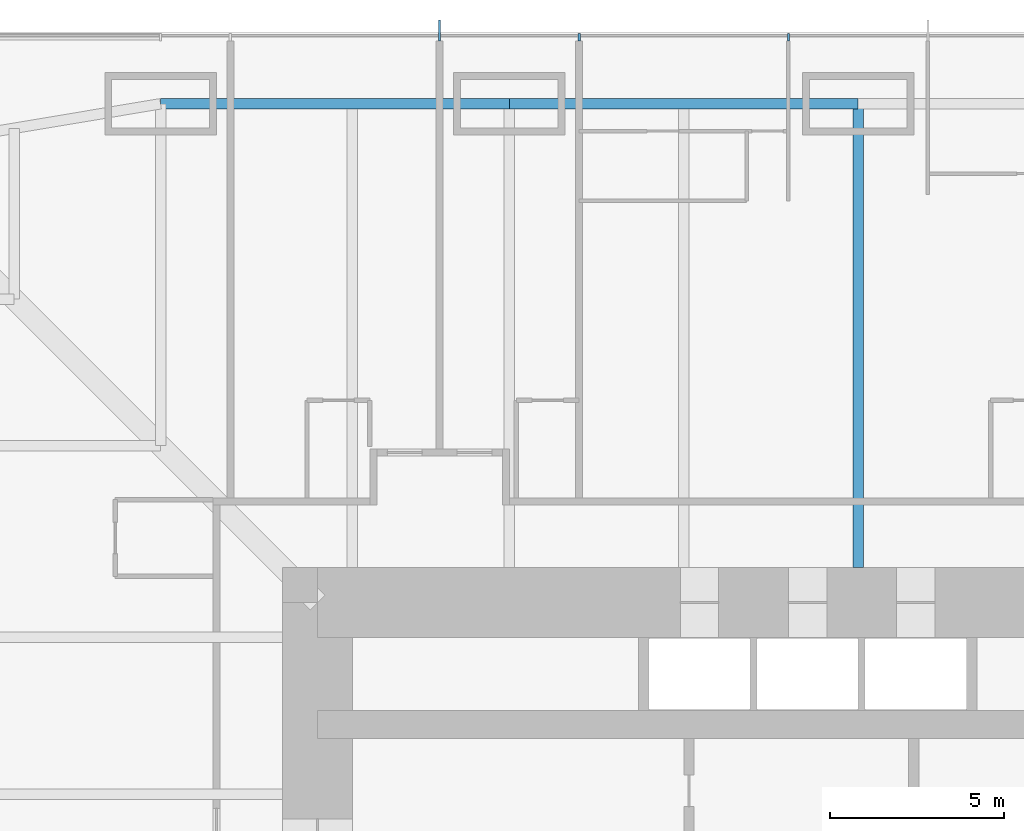
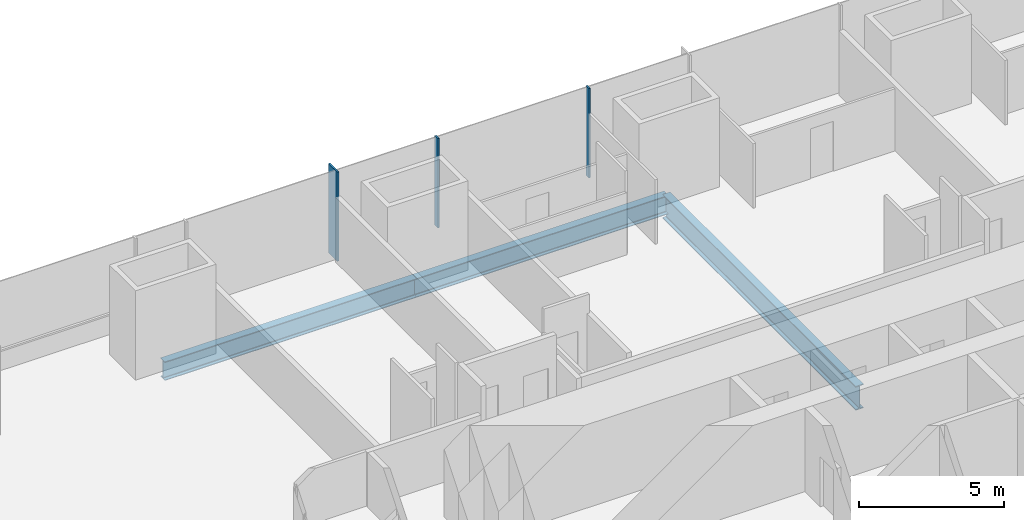
# One storey, part 7 of 17: 3 beams, 3 members, 1 element without a shape of its own.
"""IFC4 building model written with IfcOpenShell, lengths in metres."""

from ifc_helpers import new_model, si_unit, direction, frame, origin, origin_2d, place, context, subcontext, project, spatial, rectangle, i_section, extrude, material, material_profile, profile_set, type_object, element, aggregate, save


model = new_model("IFC4")

# Units and contexts
model_context = context("Model", 3, precision=1e-05, world=origin(), true_north=direction((0.0, 1.0)))
body_context = subcontext(model_context, "Body", "Model", "MODEL_VIEW")
ifc_project = project(units=[si_unit("LENGTHUNIT", "METRE"), si_unit("AREAUNIT", "SQUARE_METRE"), si_unit("VOLUMEUNIT", "CUBIC_METRE"), si_unit("PLANEANGLEUNIT", "RADIAN"), si_unit("MASSUNIT", "GRAM", prefix="KILO")], contexts=[model_context])

# Site, building, storey
site_placement = place(None, origin())
site = spatial("IfcSite", under=ifc_project, at=site_placement, CompositionType="ELEMENT")
building_placement = place(site_placement, origin())
building = spatial("IfcBuilding", under=site, at=building_placement, Name="Khuree Lantern Residences", CompositionType="ELEMENT")
storey_placement = place(building_placement, frame((0.0, 0.0, 36.0)))
storey = spatial("IfcBuildingStorey", under=building, at=storey_placement, Name="L08", CompositionType="ELEMENT", Elevation=36.0)

# Beams
ifc_material_1 = material(Name="Steel S355", Category="steel")
ifc_material_profile_1 = material_profile(ifc_material_1, i_section(OverallWidth=0.300048828125, OverallDepth=0.7900390625, WebThickness=0.014892578125, FlangeThickness=0.028076171875, FilletRadius=0.030029296875, at=origin_2d()), Name="HE 800 A")
ifc_profile_set_1 = profile_set([ifc_material_profile_1], Name="Steel S355")
beam_type_1 = type_object("IfcBeamType", Name="E-12 SPANDREL BEAM HE 800 A", PredefinedType="SPANDREL", material=ifc_profile_set_1)
for number, where, z_axis, x_axis, name in (
    (1, (-20.0, 29.800048828125, -0.64501953125), (1.0, 0.0, 0.0), (0.0, 1.0, 0.0), "Spandrel beam N1"),
    (2, (-10.0, 29.800048828125, -0.64501953125), (1.0, 0.0, 0.0), (0.0, 1.0, 0.0), "Spandrel beam N2"),
):
    element("IfcBeam", number, at=place(storey_placement, frame(where, z_axis=z_axis, x_axis=x_axis)), inside=storey, type_object=beam_type_1, Name=name, PredefinedType="SPANDREL", context=body_context, shape_type="SweptSolid", body=[
        extrude(i_section(OverallWidth=0.300048828125, OverallDepth=0.7900390625, WebThickness=0.014892578125, FlangeThickness=0.028076171875, FilletRadius=0.030029296875, at=origin_2d()), origin(), (0.0, 0.0, 1.0), 10.0),
    ])

# Curtain wall, member
ifc_material_2 = material(Name="Bronze anodised aluminium", Category="aluminium")
curtain_wall_type = type_object("IfcCurtainWallType", Name="CW-T1 TOWER FACE CURTAIN WALL", PredefinedType="USERDEFINED", material=ifc_material_2)
curtain_wall_placement = place(storey_placement, origin())
curtain_wall = element("IfcCurtainWall", 3, at=curtain_wall_placement, inside=storey, type_object=curtain_wall_type, Name="L08 NORTH FACE CURTAIN WALL", ObjectType="Stick-built curtain wall", PredefinedType="USERDEFINED")
ifc_material_profile_2 = material_profile(ifc_material_2, rectangle(XDim=0.06494140625, YDim=0.60009765625, at=origin_2d()), Name="F1 65X600")
ifc_profile_set_2 = profile_set([ifc_material_profile_2], Name="Bronze anodised aluminium")
member_type_1 = type_object("IfcMemberType", Name="F1 BRONZE FIN MULLION TOWER 65X600", PredefinedType="MULLION", material=ifc_profile_set_2)
member_1_placement = place(storey_placement, frame((-12.0, 31.89990234375, 0.0), z_axis=(0.0, 0.0, 1.0), x_axis=(-1.0, 0.0, 0.0)))
member_1 = element("IfcMember", 4, at=member_1_placement, type_object=member_type_1, Name="L08 NORTH FACE FIN MULLION 26", PredefinedType="MULLION", context=body_context, shape_type="SweptSolid", body=[
    extrude(rectangle(XDim=0.06494140625, YDim=0.60009765625, at=origin_2d()), origin(), (0.0, 0.0, 1.0), 3.75),
])

# Beam
ifc_material_profile_3 = material_profile(ifc_material_1, i_section(OverallWidth=0.302001953125, OverallDepth=1.008056640625, WebThickness=0.02099609375, FlangeThickness=0.0400390625, FilletRadius=0.030029296875, at=origin_2d()), Name="HE 1000 M")
ifc_profile_set_3 = profile_set([ifc_material_profile_3], Name="Steel S355")
beam_type_2 = type_object("IfcBeamType", Name="G-12 GIRDER HE 1000 M", PredefinedType="BEAM", material=ifc_profile_set_3)
beam_placement = place(storey_placement, frame((0.0, 29.800048828125, -0.75390625), z_axis=(0.0, -1.0, 0.0), x_axis=(1.0, 0.0, 0.0)))
element("IfcBeam", 5, at=beam_placement, inside=storey, type_object=beam_type_2, Name="Girder N3", PredefinedType="BEAM", context=body_context, shape_type="SweptSolid", body=[
    extrude(i_section(OverallWidth=0.302001953125, OverallDepth=1.008056640625, WebThickness=0.02099609375, FlangeThickness=0.0400390625, FilletRadius=0.030029296875, at=origin_2d()), origin(), (0.0, 0.0, 1.0), 13.300048828125),
])

# Member
ifc_material_profile_4 = material_profile(ifc_material_2, rectangle(XDim=0.06494140625, YDim=0.219970703125, at=origin_2d()), Name="M1 65X220")
ifc_profile_set_4 = profile_set([ifc_material_profile_4], Name="Bronze anodised aluminium")
member_type_2 = type_object("IfcMemberType", Name="M1 BRONZE MULLION TOWER 65X220", PredefinedType="MULLION", material=ifc_profile_set_4)
member_2_placement = place(storey_placement, frame((-2.0, 31.7099609375, 0.0), z_axis=(0.0, 0.0, 1.0), x_axis=(-1.0, 0.0, 0.0)))
member_2 = element("IfcMember", 6, at=member_2_placement, type_object=member_type_2, Name="L08 NORTH FACE MULLION 24", PredefinedType="MULLION", context=body_context, shape_type="SweptSolid", body=[
    extrude(rectangle(XDim=0.06494140625, YDim=0.219970703125, at=origin_2d()), origin(), (0.0, 0.0, 1.0), 3.75),
])

member_3_placement = place(storey_placement, frame((-8.0, 31.7099609375, 0.0), z_axis=(0.0, 0.0, 1.0), x_axis=(-1.0, 0.0, 0.0)))
member_3 = element("IfcMember", 7, at=member_3_placement, type_object=member_type_2, Name="L08 NORTH FACE MULLION 25", PredefinedType="MULLION", context=body_context, shape_type="SweptSolid", body=[
    extrude(rectangle(XDim=0.06494140625, YDim=0.219970703125, at=origin_2d()), origin(), (0.0, 0.0, 1.0), 3.75),
])

aggregate(curtain_wall, [member_2, member_3, member_1])

save(model, "model.ifc")
